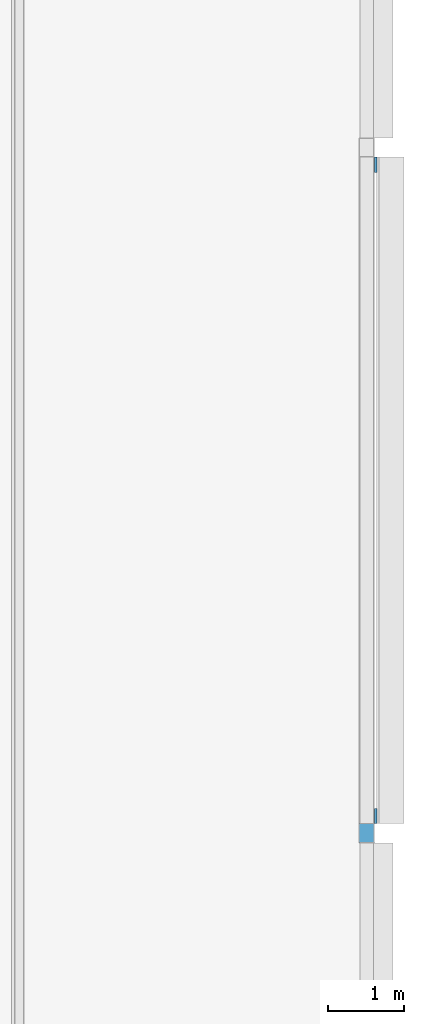
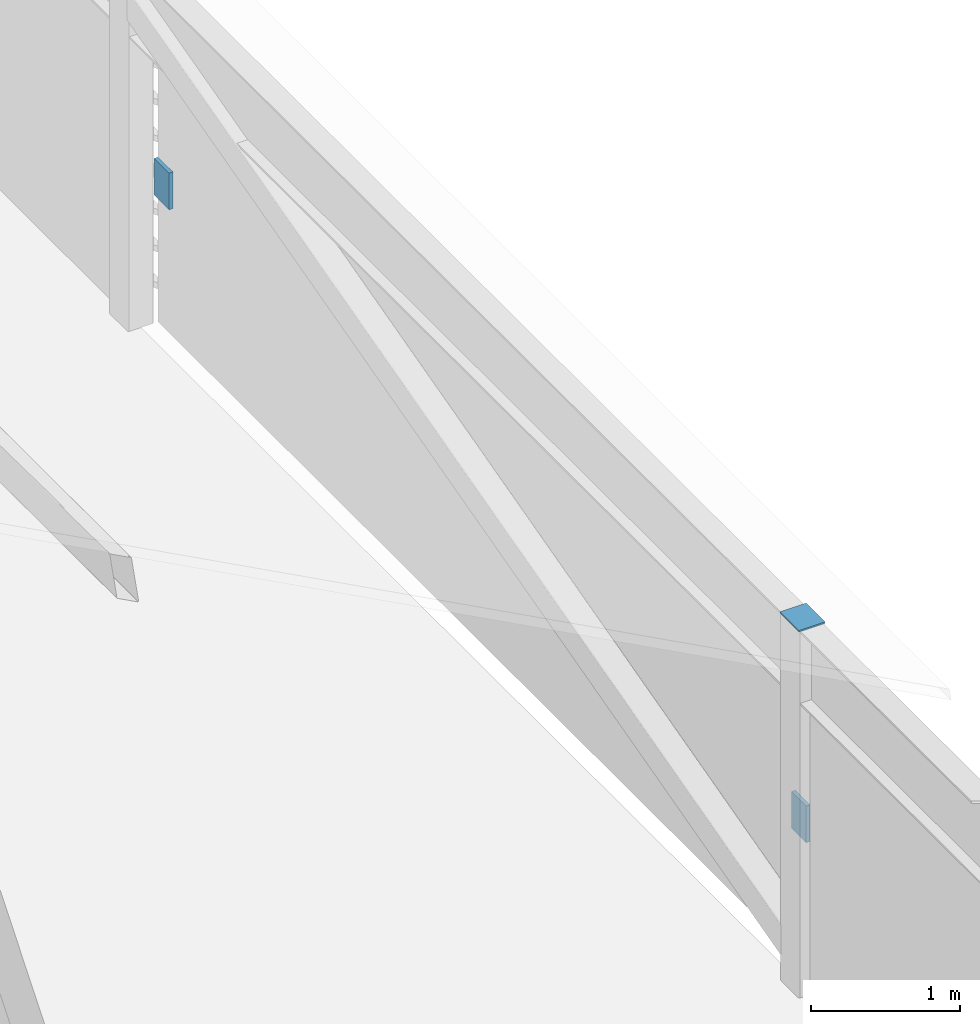
# One storey, part 34 of 46: 3 discrete accessories.
"""IFC4 building model written with IfcOpenShell, lengths in metres."""

from ifc_helpers import new_model, si_unit, direction, frame, origin, origin_2d, place, context, subcontext, project, spatial, rectangle, extrude, material, type_object, element, save


model = new_model("IFC4")

# Units and contexts
model_context = context("Model", 3, precision=1e-05, world=origin(), true_north=direction((0.0, 1.0)))
body_context = subcontext(model_context, "Body", "Model", "MODEL_VIEW")
ifc_project = project(units=[si_unit("LENGTHUNIT", "METRE"), si_unit("AREAUNIT", "SQUARE_METRE"), si_unit("VOLUMEUNIT", "CUBIC_METRE"), si_unit("PLANEANGLEUNIT", "RADIAN"), si_unit("MASSUNIT", "GRAM", prefix="KILO")], contexts=[model_context])

# Site, building, storey
site_placement = place(None, origin())
site = spatial("IfcSite", under=ifc_project, at=site_placement, CompositionType="ELEMENT")
building_placement = place(site_placement, origin())
building = spatial("IfcBuilding", under=site, at=building_placement, Name="Madar Terraces", CompositionType="ELEMENT")
storey_placement = place(building_placement, frame((0.0, 0.0, 317.300048828125)))
storey = spatial("IfcBuildingStorey", under=building, at=storey_placement, Name="L82", CompositionType="ELEMENT", Elevation=317.300048828125)

# Discrete accessories
ifc_material_1 = material(Name="Steel plate ASTM A36, galvanised", Category="steel")
discrete_accessory_type_1 = type_object("IfcDiscreteAccessoryType", Name="Hollow section end plate", PredefinedType="BRACKET", material=ifc_material_1)
discrete_accessory_placement = place(storey_placement, frame((56.39990234375, 24.0, 3.0), z_axis=(0.0, 0.0, 1.0), x_axis=(1.0, 0.0, 0.0)))
element("IfcDiscreteAccessory", 1, at=discrete_accessory_placement, inside=storey, type_object=discrete_accessory_type_1, Name="Hollow section end plate", PredefinedType="BRACKET", context=body_context, shape_type="SweptSolid", body=[
    extrude(rectangle(XDim=0.203125, YDim=0.25390625, at=origin_2d()), origin(), (0.0, 0.0, 1.0), 0.011962890625),
])
ifc_material_2 = material(Name="Steel, galvanised", Category="steel")
discrete_accessory_type_2 = type_object("IfcDiscreteAccessoryType", Name="Louvre bank bracket", PredefinedType="BRACKET", material=ifc_material_2)
for number, where, z_axis, x_axis, name in (
    (2, (56.5166015625, 24.22705078125, 1.048828125), (0.0, 0.0, 1.0), (0.0, 1.0, 0.0), "Louvre bank bracket"),
    (3, (56.5166015625, 32.77294921875, 1.048828125), (0.0, 0.0, 1.0), (0.0, 1.0, 0.0), "Louvre bank bracket"),
):
    element("IfcDiscreteAccessory", number, at=place(storey_placement, frame(where, z_axis=z_axis, x_axis=x_axis)), inside=storey, type_object=discrete_accessory_type_2, Name=name, PredefinedType="BRACKET", context=body_context, shape_type="SweptSolid", body=[
        extrude(rectangle(XDim=0.199951171875, YDim=0.030029296875, at=origin_2d()), origin(), (0.0, 0.0, 1.0), 0.300048828125),
    ])

save(model, "model.ifc")
